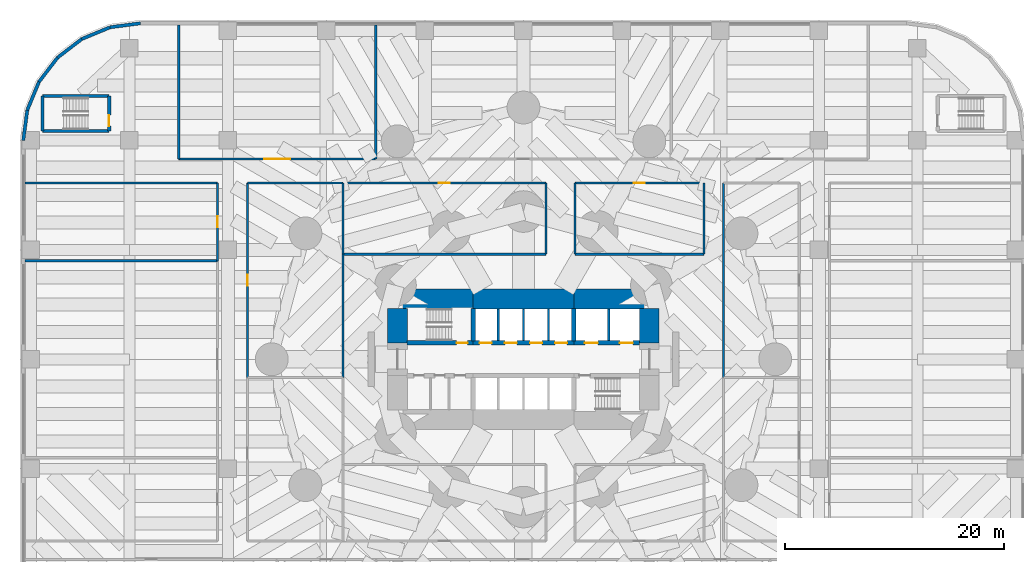
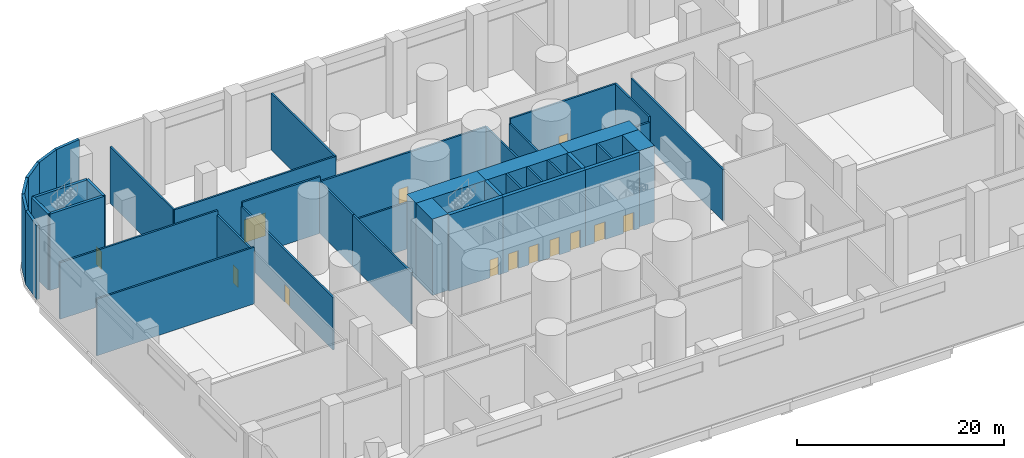
# One storey, part 9 of 13: 42 walls, 13 doors, 13 openings.
"""IFC4 building model written with IfcOpenShell, lengths in metres."""

from ifc_helpers import new_model, si_unit, direction, frame, frame_2d, origin, place, context, subcontext, project, spatial, rectangle, extrude, material, layer, layer_set, type_object, element, fill, save


model = new_model("IFC4")

# Units and contexts
model_context = context("Model", 3, precision=1e-05, world=origin(), true_north=direction((0.0, 1.0)))
body_context = subcontext(model_context, "Body", "Model", "MODEL_VIEW")
ifc_project = project(units=[si_unit("LENGTHUNIT", "METRE"), si_unit("AREAUNIT", "SQUARE_METRE"), si_unit("VOLUMEUNIT", "CUBIC_METRE"), si_unit("PLANEANGLEUNIT", "RADIAN"), si_unit("MASSUNIT", "GRAM", prefix="KILO")], contexts=[model_context])

# Site, building, storey
site_placement = place(None, origin())
site = spatial("IfcSite", under=ifc_project, at=site_placement, CompositionType="ELEMENT")
building_placement = place(site_placement, origin())
building = spatial("IfcBuilding", under=site, at=building_placement, Name="Qaws Media Tower", CompositionType="ELEMENT")
storey_placement = place(building_placement, frame((0.0, 0.0, 6.0)))
storey = spatial("IfcBuildingStorey", under=building, at=storey_placement, Name="L01", CompositionType="ELEMENT", Elevation=6.0)

# Wall, opening, door
ifc_material_1 = material(Name="Concrete C60/75", Category="concrete")
ifc_layer_1 = layer(ifc_material_1, 0.39990234375)
ifc_layer_set_1 = layer_set([ifc_layer_1], Name="Core inner wall 400")
wall_type_1 = type_object("IfcWallType", Name="Core inner wall 400", PredefinedType="SHEAR", material=ifc_layer_set_1)
wall_1_placement = place(storey_placement, frame((49.3798828125, 51.5, 0.0), z_axis=(0.0, 0.0, 1.0), x_axis=(1.0, 0.0, 0.0)))
wall_1 = element("IfcWall", 1, at=wall_1_placement, inside=storey, type_object=wall_type_1, Name="W311 SW4 core wall SPNW L01", PredefinedType="SHEAR", context=body_context, shape_type="SweptSolid", body=[
    extrude(rectangle(XDim=6.02001953125, YDim=0.39990234375, at=frame_2d((3.010009765625, 0.0))), origin(), (0.0, 0.0, 1.0), 9.0),
])
opening_1_placement = place(wall_1_placement, frame((4.52001953125, 0.0, 0.0)))
opening_1 = element("IfcOpeningElement", 2, at=opening_1_placement, cuts=wall_1, Name="Opening D1", PredefinedType="OPENING", context=body_context, shape_type="SweptSolid", body=[
    extrude(rectangle(XDim=1.0, YDim=2.10009765625, at=frame_2d((0.5, 1.050048828125))), frame((0.0, 0.2099609375, 0.0), z_axis=(0.0, -1.0, 0.0), x_axis=(1.0, 0.0, 0.0)), (0.0, 0.0, 1.0), 0.419921875),
])
ifc_material_2 = material(Name="Steel, fire rated", Category="steel")
door_type_1 = type_object("IfcDoorType", Name="Stair door 1000 FD120", OperationType="SINGLE_SWING_LEFT", PredefinedType="DOOR", material=ifc_material_2)
door_1_placement = place(opening_1_placement, origin())
door_1 = element("IfcDoor", 3, at=door_1_placement, inside=storey, type_object=door_type_1, Name="D1 stair S1 door L01 in wall W311", OperationType="SINGLE_SWING_LEFT", OverallHeight=2.10009765625, OverallWidth=1.0, PredefinedType="DOOR", context=body_context, shape_type="SweptSolid", body=[
    extrude(rectangle(XDim=1.0, YDim=2.10009765625, at=frame_2d((0.5, 1.050048828125))), frame((0.0, 0.02490234375, 0.0), z_axis=(0.0, -1.0, 0.0), x_axis=(1.0, 0.0, 0.0)), (0.0, 0.0, 1.0), 0.050048828125),
])
fill(opening_1, door_1)

# Wall, openings, doors
wall_2_placement = place(storey_placement, frame((55.39990234375, 51.5, 0.0), z_axis=(0.0, 0.0, 1.0), x_axis=(1.0, 0.0, 0.0)))
wall_2 = element("IfcWall", 4, at=wall_2_placement, inside=storey, type_object=wall_type_1, Name="W314 SW4 core wall SPN L01", PredefinedType="SHEAR", context=body_context, shape_type="SweptSolid", body=[
    extrude(rectangle(XDim=9.2001953125, YDim=0.39990234375, at=frame_2d((4.60009765625, 0.0))), origin(), (0.0, 0.0, 1.0), 9.0),
])
opening_2_placement = place(wall_2_placement, frame((0.60009765625, 0.0, 0.0)))
opening_2 = element("IfcOpeningElement", 5, at=opening_2_placement, cuts=wall_2, Name="Opening LD", PredefinedType="OPENING", context=body_context, shape_type="SweptSolid", body=[
    extrude(rectangle(XDim=1.10009765625, YDim=2.10009765625, at=frame_2d((0.550048828125, 1.050048828125))), frame((0.0, 0.2099609375, 0.0), z_axis=(0.0, -1.0, 0.0), x_axis=(1.0, 0.0, 0.0)), (0.0, 0.0, 1.0), 0.419921875),
])
opening_3_placement = place(wall_2_placement, frame((2.89990234375, 0.0, 0.0)))
opening_3 = element("IfcOpeningElement", 6, at=opening_3_placement, cuts=wall_2, Name="Opening LD", PredefinedType="OPENING", context=body_context, shape_type="SweptSolid", body=[
    extrude(rectangle(XDim=1.10009765625, YDim=2.10009765625, at=frame_2d((0.550048828125, 1.050048828125))), frame((0.0, 0.2099609375, 0.0), z_axis=(0.0, -1.0, 0.0), x_axis=(1.0, 0.0, 0.0)), (0.0, 0.0, 1.0), 0.419921875),
])
opening_4_placement = place(wall_2_placement, frame((5.199951171875, 0.0, 0.0)))
opening_4 = element("IfcOpeningElement", 7, at=opening_4_placement, cuts=wall_2, Name="Opening LD", PredefinedType="OPENING", context=body_context, shape_type="SweptSolid", body=[
    extrude(rectangle(XDim=1.10009765625, YDim=2.10009765625, at=frame_2d((0.550048828125, 1.050048828125))), frame((0.0, 0.2099609375, 0.0), z_axis=(0.0, -1.0, 0.0), x_axis=(1.0, 0.0, 0.0)), (0.0, 0.0, 1.0), 0.419921875),
])
opening_5_placement = place(wall_2_placement, frame((7.5, 0.0, 0.0)))
opening_5 = element("IfcOpeningElement", 8, at=opening_5_placement, cuts=wall_2, Name="Opening LD", PredefinedType="OPENING", context=body_context, shape_type="SweptSolid", body=[
    extrude(rectangle(XDim=1.10009765625, YDim=2.10009765625, at=frame_2d((0.550048828125, 1.050048828125))), frame((0.0, 0.2099609375, 0.0), z_axis=(0.0, -1.0, 0.0), x_axis=(1.0, 0.0, 0.0)), (0.0, 0.0, 1.0), 0.419921875),
])
ifc_material_3 = material(Name="Steel, fire rated", Category="steel")
door_type_2 = type_object("IfcDoorType", Name="Lift landing door 1100", OperationType="SLIDING_TO_LEFT", PredefinedType="DOOR", material=ifc_material_3)
door_2_placement = place(opening_2_placement, origin())
door_2 = element("IfcDoor", 9, at=door_2_placement, inside=storey, type_object=door_type_2, Name="P1 landing door L01 in wall W314", OperationType="SLIDING_TO_LEFT", OverallHeight=2.10009765625, OverallWidth=1.10009765625, PredefinedType="DOOR", context=body_context, shape_type="SweptSolid", body=[
    extrude(rectangle(XDim=1.10009765625, YDim=2.10009765625, at=frame_2d((0.550048828125, 1.050048828125))), frame((0.0, 0.02490234375, 0.0), z_axis=(0.0, -1.0, 0.0), x_axis=(1.0, 0.0, 0.0)), (0.0, 0.0, 1.0), 0.050048828125),
])
fill(opening_2, door_2)
door_3_placement = place(opening_3_placement, origin())
door_3 = element("IfcDoor", 10, at=door_3_placement, inside=storey, type_object=door_type_2, Name="P2 landing door L01 in wall W314", OperationType="SLIDING_TO_LEFT", OverallHeight=2.10009765625, OverallWidth=1.10009765625, PredefinedType="DOOR", context=body_context, shape_type="SweptSolid", body=[
    extrude(rectangle(XDim=1.10009765625, YDim=2.10009765625, at=frame_2d((0.550048828125, 1.050048828125))), frame((0.0, 0.02490234375, 0.0), z_axis=(0.0, -1.0, 0.0), x_axis=(1.0, 0.0, 0.0)), (0.0, 0.0, 1.0), 0.050048828125),
])
fill(opening_3, door_3)
door_4_placement = place(opening_4_placement, origin())
door_4 = element("IfcDoor", 11, at=door_4_placement, inside=storey, type_object=door_type_2, Name="P3 landing door L01 in wall W314", OperationType="SLIDING_TO_LEFT", OverallHeight=2.10009765625, OverallWidth=1.10009765625, PredefinedType="DOOR", context=body_context, shape_type="SweptSolid", body=[
    extrude(rectangle(XDim=1.10009765625, YDim=2.10009765625, at=frame_2d((0.550048828125, 1.050048828125))), frame((0.0, 0.02490234375, 0.0), z_axis=(0.0, -1.0, 0.0), x_axis=(1.0, 0.0, 0.0)), (0.0, 0.0, 1.0), 0.050048828125),
])
fill(opening_4, door_4)
door_5_placement = place(opening_5_placement, origin())
door_5 = element("IfcDoor", 12, at=door_5_placement, inside=storey, type_object=door_type_2, Name="P4 landing door L01 in wall W314", OperationType="SLIDING_TO_LEFT", OverallHeight=2.10009765625, OverallWidth=1.10009765625, PredefinedType="DOOR", context=body_context, shape_type="SweptSolid", body=[
    extrude(rectangle(XDim=1.10009765625, YDim=2.10009765625, at=frame_2d((0.550048828125, 1.050048828125))), frame((0.0, 0.02490234375, 0.0), z_axis=(0.0, -1.0, 0.0), x_axis=(1.0, 0.0, 0.0)), (0.0, 0.0, 1.0), 0.050048828125),
])
fill(opening_5, door_5)

wall_3_placement = place(storey_placement, frame((64.60009765625, 51.5, 0.0), z_axis=(0.0, 0.0, 1.0), x_axis=(1.0, 0.0, 0.0)))
wall_3 = element("IfcWall", 13, at=wall_3_placement, inside=storey, type_object=wall_type_1, Name="W318 SW4 core wall SPNE L01", PredefinedType="SHEAR", context=body_context, shape_type="SweptSolid", body=[
    extrude(rectangle(XDim=6.02001953125, YDim=0.39990234375, at=frame_2d((3.010009765625, 0.0))), origin(), (0.0, 0.0, 1.0), 9.0),
])
opening_6_placement = place(wall_3_placement, frame((1.0, 0.0, 0.0)))
opening_6 = element("IfcOpeningElement", 14, at=opening_6_placement, cuts=wall_3, Name="Opening LD2", PredefinedType="OPENING", context=body_context, shape_type="SweptSolid", body=[
    extrude(rectangle(XDim=1.199951171875, YDim=2.10009765625, at=frame_2d((0.60009765625, 1.050048828125))), frame((0.0, 0.2099609375, 0.0), z_axis=(0.0, -1.0, 0.0), x_axis=(1.0, 0.0, 0.0)), (0.0, 0.0, 1.0), 0.419921875),
])
opening_7_placement = place(wall_3_placement, frame((4.199951171875, 0.0, 0.0)))
opening_7 = element("IfcOpeningElement", 15, at=opening_7_placement, cuts=wall_3, Name="Opening LD2", PredefinedType="OPENING", context=body_context, shape_type="SweptSolid", body=[
    extrude(rectangle(XDim=1.199951171875, YDim=2.10009765625, at=frame_2d((0.60009765625, 1.050048828125))), frame((0.0, 0.2099609375, 0.0), z_axis=(0.0, -1.0, 0.0), x_axis=(1.0, 0.0, 0.0)), (0.0, 0.0, 1.0), 0.419921875),
])
ifc_material_4 = material(Name="Steel, fire rated", Category="steel")
door_type_3 = type_object("IfcDoorType", Name="Lift landing door 1200", OperationType="SLIDING_TO_LEFT", PredefinedType="DOOR", material=ifc_material_4)
door_6_placement = place(opening_6_placement, origin())
door_6 = element("IfcDoor", 16, at=door_6_placement, inside=storey, type_object=door_type_3, Name="FL1 landing door L01 in wall W318", OperationType="SLIDING_TO_LEFT", OverallHeight=2.10009765625, OverallWidth=1.199951171875, PredefinedType="DOOR", context=body_context, shape_type="SweptSolid", body=[
    extrude(rectangle(XDim=1.199951171875, YDim=2.10009765625, at=frame_2d((0.60009765625, 1.050048828125))), frame((0.0, 0.02490234375, 0.0), z_axis=(0.0, -1.0, 0.0), x_axis=(1.0, 0.0, 0.0)), (0.0, 0.0, 1.0), 0.050048828125),
])
fill(opening_6, door_6)
door_7_placement = place(opening_7_placement, origin())
door_7 = element("IfcDoor", 17, at=door_7_placement, inside=storey, type_object=door_type_3, Name="FL2 landing door L01 in wall W318", OperationType="SLIDING_TO_LEFT", OverallHeight=2.10009765625, OverallWidth=1.199951171875, PredefinedType="DOOR", context=body_context, shape_type="SweptSolid", body=[
    extrude(rectangle(XDim=1.199951171875, YDim=2.10009765625, at=frame_2d((0.60009765625, 1.050048828125))), frame((0.0, 0.02490234375, 0.0), z_axis=(0.0, -1.0, 0.0), x_axis=(1.0, 0.0, 0.0)), (0.0, 0.0, 1.0), 0.050048828125),
])
fill(opening_7, door_7)

# Walls
for number, where, z_axis, x_axis, name in (
    (18, (55.39990234375, 51.679931640625, 0.0), (0.0, 0.0, 1.0), (0.0, 1.0, 0.0), "W315 SW4 core wall XNW L01"),
    (19, (64.60009765625, 51.679931640625, 0.0), (0.0, 0.0, 1.0), (0.0, 1.0, 0.0), "W319 SW4 core wall XNE L01"),
):
    element("IfcWall", number, at=place(storey_placement, frame(where, z_axis=z_axis, x_axis=x_axis)), inside=storey, type_object=wall_type_1, Name=name, PredefinedType="SHEAR", context=body_context, shape_type="SweptSolid", body=[
        extrude(rectangle(XDim=2.940185546875, YDim=0.39990234375, at=frame_2d((1.47021484375, 0.0))), origin(), (0.0, 0.0, 1.0), 9.0),
    ])
ifc_material_5 = material(Name="Concrete C60/75", Category="concrete")
ifc_layer_2 = layer(ifc_material_5, 1.800048828125)
ifc_layer_set_2 = layer_set([ifc_layer_2], Name="Core wall 1800")
wall_type_2 = type_object("IfcWallType", Name="Core wall 1800", PredefinedType="SHEAR", material=ifc_layer_set_2)
wall_4_placement = place(storey_placement, frame((47.60009765625, 55.5, 0.0), z_axis=(0.0, 0.0, 1.0), x_axis=(1.0, 0.0, 0.0)))
element("IfcWall", 20, at=wall_4_placement, inside=storey, type_object=wall_type_2, Name="W399 SW11 core wall NW L01", PredefinedType="SHEAR", context=body_context, shape_type="SweptSolid", body=[
    extrude(rectangle(XDim=7.7998046875, YDim=1.800048828125, at=frame_2d((3.89990234375, 0.0))), origin(), (0.0, 0.0, 1.0), 9.0),
])
wall_5_placement = place(storey_placement, frame((55.39990234375, 55.5, 0.0), z_axis=(0.0, 0.0, 1.0), x_axis=(1.0, 0.0, 0.0)))
element("IfcWall", 21, at=wall_5_placement, inside=storey, type_object=wall_type_2, Name="W404 SW11 core wall N L01", PredefinedType="SHEAR", context=body_context, shape_type="SweptSolid", body=[
    extrude(rectangle(XDim=9.2001953125, YDim=1.800048828125, at=frame_2d((4.60009765625, 0.0))), origin(), (0.0, 0.0, 1.0), 9.0),
])
wall_6_placement = place(storey_placement, frame((64.60009765625, 55.5, 0.0), z_axis=(0.0, 0.0, 1.0), x_axis=(1.0, 0.0, 0.0)))
element("IfcWall", 22, at=wall_6_placement, inside=storey, type_object=wall_type_2, Name="W406 SW11 core wall NE L01", PredefinedType="SHEAR", context=body_context, shape_type="SweptSolid", body=[
    extrude(rectangle(XDim=7.7998046875, YDim=1.800048828125, at=frame_2d((3.89990234375, 0.0))), origin(), (0.0, 0.0, 1.0), 9.0),
])
for number, where, z_axis, x_axis, name in (
    (23, (71.5, 51.5, 0.0), (0.0, 0.0, 1.0), (0.0, 1.0, 0.0), "W409 SW11 core wall EN L01"),
    (24, (48.5, 51.5, 0.0), (0.0, 0.0, 1.0), (0.0, 1.0, 0.0), "W402 SW11 core wall WN L01"),
):
    element("IfcWall", number, at=place(storey_placement, frame(where, z_axis=z_axis, x_axis=x_axis)), inside=storey, type_object=wall_type_2, Name=name, PredefinedType="SHEAR", context=body_context, shape_type="SweptSolid", body=[
        extrude(rectangle(XDim=3.1201171875, YDim=1.800048828125, at=frame_2d((1.56005859375, 0.0))), origin(), (0.0, 0.0, 1.0), 9.0),
    ])
ifc_material_6 = material(Name="Precast concrete, exposed finish", Category="concrete")
ifc_layer_3 = layer(ifc_material_6, 0.300048828125)
ifc_layer_set_3 = layer_set([ifc_layer_3], Name="Podium facade wall 300")
wall_type_3 = type_object("IfcWallType", Name="Podium facade wall 300", PredefinedType="SOLIDWALL", material=ifc_layer_set_3)
wall_7_placement = place(storey_placement, frame((25.0, 80.699951171875, 0.0), z_axis=(0.0, 0.0, 1.0), x_axis=(-0.991448642066, -0.130497471798, 0.0)))
element("IfcWall", 25, at=wall_7_placement, inside=storey, type_object=wall_type_3, Name="W776 EW2 podium wall L01-15", PredefinedType="SOLIDWALL", context=body_context, shape_type="SweptSolid", body=[
    extrude(rectangle(XDim=2.793212890625, YDim=0.300048828125, at=frame_2d((1.396484375, 0.0))), origin(), (0.0, 0.0, 1.0), 8.699951171875),
])
wall_8_placement = place(storey_placement, frame((22.230712890625, 80.33544921875, 0.0), z_axis=(0.0, 0.0, 1.0), x_axis=(-0.923868765822, -0.382709424419, 0.0)))
element("IfcWall", 26, at=wall_8_placement, inside=storey, type_object=wall_type_3, Name="W774 EW2 podium wall L01-16", PredefinedType="SOLIDWALL", context=body_context, shape_type="SweptSolid", body=[
    extrude(rectangle(XDim=2.79345703125, YDim=0.300048828125, at=frame_2d((1.396728515625, 0.0))), origin(), (0.0, 0.0, 1.0), 8.699951171875),
])
for number, where, z_axis, x_axis, name in (
    (27, (19.64990234375, 79.266357421875, 0.0), (0.0, 0.0, 1.0), (-0.793396695539, -0.608704923183, 0.0), "W772 EW2 podium wall L01-17"),
    (28, (17.433837890625, 77.566162109375, 0.0), (0.0, 0.0, 1.0), (-0.608704923183, -0.793396695539, 0.0), "W770 EW2 podium wall L01-18"),
):
    element("IfcWall", number, at=place(storey_placement, frame(where, z_axis=z_axis, x_axis=x_axis)), inside=storey, type_object=wall_type_3, Name=name, PredefinedType="SOLIDWALL", context=body_context, shape_type="SweptSolid", body=[
        extrude(rectangle(XDim=2.793212890625, YDim=0.300048828125, at=frame_2d((1.396484375, 0.0))), origin(), (0.0, 0.0, 1.0), 8.699951171875),
    ])
wall_9_placement = place(storey_placement, frame((15.733642578125, 75.35009765625, 0.0), z_axis=(0.0, 0.0, 1.0), x_axis=(-0.382709424419, -0.923868765822, 0.0)))
element("IfcWall", 29, at=wall_9_placement, inside=storey, type_object=wall_type_3, Name="W768 EW2 podium wall L01-19", PredefinedType="SOLIDWALL", context=body_context, shape_type="SweptSolid", body=[
    extrude(rectangle(XDim=2.79345703125, YDim=0.300048828125, at=frame_2d((1.396728515625, 0.0))), origin(), (0.0, 0.0, 1.0), 8.699951171875),
])
wall_10_placement = place(storey_placement, frame((14.66455078125, 72.769287109375, 0.0), z_axis=(0.0, 0.0, 1.0), x_axis=(-0.130497471798, -0.991448642066, 0.0)))
element("IfcWall", 30, at=wall_10_placement, inside=storey, type_object=wall_type_3, Name="W766 EW2 podium wall L01-20", PredefinedType="SOLIDWALL", context=body_context, shape_type="SweptSolid", body=[
    extrude(rectangle(XDim=2.793212890625, YDim=0.300048828125, at=frame_2d((1.396484375, 0.0))), origin(), (0.0, 0.0, 1.0), 8.699951171875),
])
ifc_material_7 = material(Name="Gypsum board on galvanised metal studs, acoustic double stud, deflection head", Category="gypsum")
ifc_layer_4 = layer(ifc_material_7, 0.199951171875)
ifc_layer_set_4 = layer_set([ifc_layer_4], Name="Room partition 200")
wall_type_4 = type_object("IfcWallType", Name="Room partition 200", PredefinedType="PARTITIONING", material=ifc_layer_set_4)
wall_11_placement = place(storey_placement, frame((28.5, 68.300048828125, 0.0), z_axis=(0.0, 0.0, 1.0), x_axis=(0.0, 1.0, 0.0)))
element("IfcWall", 31, at=wall_11_placement, inside=storey, type_object=wall_type_4, Name="W846 IW3 partition L01", PredefinedType="PARTITIONING", context=body_context, shape_type="SweptSolid", body=[
    extrude(rectangle(XDim=12.244873046875, YDim=0.199951171875, at=frame_2d((6.12255859375, 0.0))), origin(), (0.0, 0.0, 1.0), 6.679931640625),
])

# Wall, opening, door
wall_12_placement = place(storey_placement, frame((32.050048828125, 59.0, 0.0), z_axis=(0.0, 0.0, 1.0), x_axis=(0.0, 1.0, 0.0)))
wall_12 = element("IfcWall", 32, at=wall_12_placement, inside=storey, type_object=wall_type_4, Name="W895 IW3 partition L01", PredefinedType="PARTITIONING", context=body_context, shape_type="SweptSolid", body=[
    extrude(rectangle(XDim=7.10009765625, YDim=0.199951171875, at=frame_2d((3.550048828125, 0.0))), origin(), (0.0, 0.0, 1.0), 6.179931640625),
])
opening_8_placement = place(wall_12_placement, frame((3.050048828125, 0.0, 0.0)))
opening_8 = element("IfcOpeningElement", 33, at=opening_8_placement, cuts=wall_12, Name="Opening D5", PredefinedType="OPENING", context=body_context, shape_type="SweptSolid", body=[
    extrude(rectangle(XDim=1.0, YDim=2.10009765625, at=frame_2d((0.5, 1.050048828125))), frame((0.0, 0.10986328125, 0.0), z_axis=(0.0, -1.0, 0.0), x_axis=(1.0, 0.0, 0.0)), (0.0, 0.0, 1.0), 0.219970703125),
])
ifc_material_8 = material(Name="Timber veneered, acoustic seal", Category="wood")
door_type_4 = type_object("IfcDoorType", Name="Room door 1000", OperationType="SINGLE_SWING_LEFT", PredefinedType="DOOR", material=ifc_material_8)
door_8_placement = place(opening_8_placement, origin())
door_8 = element("IfcDoor", 34, at=door_8_placement, inside=storey, type_object=door_type_4, Name="D5 Sound room door in wall W895", OperationType="SINGLE_SWING_LEFT", OverallHeight=2.10009765625, OverallWidth=1.0, PredefinedType="DOOR", context=body_context, shape_type="SweptSolid", body=[
    extrude(rectangle(XDim=1.0, YDim=2.10009765625, at=frame_2d((0.5, 1.050048828125))), frame((0.0, 0.02490234375, 0.0), z_axis=(0.0, -1.0, 0.0), x_axis=(1.0, 0.0, 0.0)), (0.0, 0.0, 1.0), 0.050048828125),
])
fill(opening_8, door_8)

wall_13_placement = place(storey_placement, frame((34.800048828125, 48.35009765625, 0.0), z_axis=(0.0, 0.0, 1.0), x_axis=(0.0, 1.0, 0.0)))
wall_13 = element("IfcWall", 35, at=wall_13_placement, inside=storey, type_object=wall_type_4, Name="W898 IW3 partition L01", PredefinedType="PARTITIONING", context=body_context, shape_type="SweptSolid", body=[
    extrude(rectangle(XDim=17.75, YDim=0.199951171875, at=frame_2d((8.875, 0.0))), origin(), (0.0, 0.0, 1.0), 6.179931640625),
])
opening_9_placement = place(wall_13_placement, frame((8.375, 0.0, 0.0)))
opening_9 = element("IfcOpeningElement", 36, at=opening_9_placement, cuts=wall_13, Name="Opening D5", PredefinedType="OPENING", context=body_context, shape_type="SweptSolid", body=[
    extrude(rectangle(XDim=1.0, YDim=2.10009765625, at=frame_2d((0.5, 1.050048828125))), frame((0.0, 0.10986328125, 0.0), z_axis=(0.0, -1.0, 0.0), x_axis=(1.0, 0.0, 0.0)), (0.0, 0.0, 1.0), 0.219970703125),
])
door_9_placement = place(opening_9_placement, origin())
door_9 = element("IfcDoor", 37, at=door_9_placement, inside=storey, type_object=door_type_4, Name="D5 Presenters' dressing room door in wall W898", OperationType="SINGLE_SWING_LEFT", OverallHeight=2.10009765625, OverallWidth=1.0, PredefinedType="DOOR", context=body_context, shape_type="SweptSolid", body=[
    extrude(rectangle(XDim=1.0, YDim=2.10009765625, at=frame_2d((0.5, 1.050048828125))), frame((0.0, 0.02490234375, 0.0), z_axis=(0.0, -1.0, 0.0), x_axis=(1.0, 0.0, 0.0)), (0.0, 0.0, 1.0), 0.050048828125),
])
fill(opening_9, door_9)

# Walls
wall_14_placement = place(storey_placement, frame((43.5, 48.35009765625, 0.0), z_axis=(0.0, 0.0, 1.0), x_axis=(0.0, 1.0, 0.0)))
element("IfcWall", 38, at=wall_14_placement, inside=storey, type_object=wall_type_4, Name="W858 IW3 partition L01", PredefinedType="PARTITIONING", context=body_context, shape_type="SweptSolid", body=[
    extrude(rectangle(XDim=11.25, YDim=0.199951171875, at=frame_2d((5.625, 0.0))), origin(), (0.0, 0.0, 1.0), 6.080078125),
])
wall_15_placement = place(storey_placement, frame((43.5, 59.60009765625, 0.0), z_axis=(0.0, 0.0, 1.0), x_axis=(0.0, 1.0, 0.0)))
element("IfcWall", 39, at=wall_15_placement, inside=storey, type_object=wall_type_4, Name="W821 IW3 partition L01", PredefinedType="PARTITIONING", context=body_context, shape_type="SweptSolid", body=[
    extrude(rectangle(XDim=6.5, YDim=0.199951171875, at=frame_2d((3.25, 0.0))), origin(), (0.0, 0.0, 1.0), 6.080078125),
])
wall_16_placement = place(storey_placement, frame((46.5, 68.300048828125, 0.0), z_axis=(0.0, 0.0, 1.0), x_axis=(0.0, 1.0, 0.0)))
element("IfcWall", 40, at=wall_16_placement, inside=storey, type_object=wall_type_4, Name="W861 IW3 partition L01", PredefinedType="PARTITIONING", context=body_context, shape_type="SweptSolid", body=[
    extrude(rectangle(XDim=12.244873046875, YDim=0.199951171875, at=frame_2d((6.12255859375, 0.0))), origin(), (0.0, 0.0, 1.0), 6.679931640625),
])
wall_17_placement = place(storey_placement, frame((62.050048828125, 59.60009765625, 0.0), z_axis=(0.0, 0.0, 1.0), x_axis=(0.0, 1.0, 0.0)))
element("IfcWall", 41, at=wall_17_placement, inside=storey, type_object=wall_type_4, Name="W825 IW3 partition L01", PredefinedType="PARTITIONING", context=body_context, shape_type="SweptSolid", body=[
    extrude(rectangle(XDim=6.5, YDim=0.199951171875, at=frame_2d((3.25, 0.0))), origin(), (0.0, 0.0, 1.0), 6.080078125),
])
wall_18_placement = place(storey_placement, frame((64.699951171875, 59.60009765625, 0.0), z_axis=(0.0, 0.0, 1.0), x_axis=(0.0, 1.0, 0.0)))
element("IfcWall", 42, at=wall_18_placement, inside=storey, type_object=wall_type_4, Name="W829 IW3 partition L01", PredefinedType="PARTITIONING", context=body_context, shape_type="SweptSolid", body=[
    extrude(rectangle(XDim=6.5, YDim=0.199951171875, at=frame_2d((3.25, 0.0))), origin(), (0.0, 0.0, 1.0), 5.47998046875),
])
wall_19_placement = place(storey_placement, frame((76.5, 59.60009765625, 0.0), z_axis=(0.0, 0.0, 1.0), x_axis=(0.0, 1.0, 0.0)))
element("IfcWall", 43, at=wall_19_placement, inside=storey, type_object=wall_type_4, Name="W836 IW3 partition L01", PredefinedType="PARTITIONING", context=body_context, shape_type="SweptSolid", body=[
    extrude(rectangle(XDim=6.5, YDim=0.199951171875, at=frame_2d((3.25, 0.0))), origin(), (0.0, 0.0, 1.0), 6.080078125),
])
wall_20_placement = place(storey_placement, frame((78.27001953125, 48.35009765625, 0.0), z_axis=(0.0, 0.0, 1.0), x_axis=(0.0, 1.0, 0.0)))
element("IfcWall", 44, at=wall_20_placement, inside=storey, type_object=wall_type_4, Name="W909 IW3 partition L01", PredefinedType="PARTITIONING", context=body_context, shape_type="SweptSolid", body=[
    extrude(rectangle(XDim=17.75, YDim=0.199951171875, at=frame_2d((8.875, 0.0))), origin(), (0.0, 0.0, 1.0), 6.080078125),
])
wall_21_placement = place(storey_placement, frame((14.455078125, 59.0, 0.0), z_axis=(0.0, 0.0, 1.0), x_axis=(1.0, 0.0, 0.0)))
element("IfcWall", 45, at=wall_21_placement, inside=storey, type_object=wall_type_4, Name="W890 IW3 partition L01", PredefinedType="PARTITIONING", context=body_context, shape_type="SweptSolid", body=[
    extrude(rectangle(XDim=17.594970703125, YDim=0.199951171875, at=frame_2d((8.79736328125, 0.0))), origin(), (0.0, 0.0, 1.0), 6.679931640625),
])
wall_22_placement = place(storey_placement, frame((43.5, 59.60009765625, 0.0), z_axis=(0.0, 0.0, 1.0), x_axis=(1.0, 0.0, 0.0)))
element("IfcWall", 46, at=wall_22_placement, inside=storey, type_object=wall_type_4, Name="W822 IW3 partition L01", PredefinedType="PARTITIONING", context=body_context, shape_type="SweptSolid", body=[
    extrude(rectangle(XDim=18.550048828125, YDim=0.199951171875, at=frame_2d((9.27490234375, 0.0))), origin(), (0.0, 0.0, 1.0), 5.47998046875),
])
wall_23_placement = place(storey_placement, frame((64.699951171875, 59.60009765625, 0.0), z_axis=(0.0, 0.0, 1.0), x_axis=(1.0, 0.0, 0.0)))
element("IfcWall", 47, at=wall_23_placement, inside=storey, type_object=wall_type_4, Name="W830 IW3 partition L01", PredefinedType="PARTITIONING", context=body_context, shape_type="SweptSolid", body=[
    extrude(rectangle(XDim=11.800048828125, YDim=0.199951171875, at=frame_2d((5.89990234375, 0.0))), origin(), (0.0, 0.0, 1.0), 5.47998046875),
])
wall_24_placement = place(storey_placement, frame((14.455078125, 66.10009765625, 0.0), z_axis=(0.0, 0.0, 1.0), x_axis=(1.0, 0.0, 0.0)))
element("IfcWall", 48, at=wall_24_placement, inside=storey, type_object=wall_type_4, Name="W891 IW3 partition L01", PredefinedType="PARTITIONING", context=body_context, shape_type="SweptSolid", body=[
    extrude(rectangle(XDim=17.594970703125, YDim=0.199951171875, at=frame_2d((8.79736328125, 0.0))), origin(), (0.0, 0.0, 1.0), 6.679931640625),
])
wall_25_placement = place(storey_placement, frame((34.800048828125, 66.10009765625, 0.0), z_axis=(0.0, 0.0, 1.0), x_axis=(1.0, 0.0, 0.0)))
element("IfcWall", 49, at=wall_25_placement, inside=storey, type_object=wall_type_4, Name="W900 IW3 partition L01", PredefinedType="PARTITIONING", context=body_context, shape_type="SweptSolid", body=[
    extrude(rectangle(XDim=8.699951171875, YDim=0.199951171875, at=frame_2d((4.35009765625, 0.0))), origin(), (0.0, 0.0, 1.0), 6.679931640625),
])

# Wall, opening, door
wall_26_placement = place(storey_placement, frame((43.5, 66.10009765625, 0.0), z_axis=(0.0, 0.0, 1.0), x_axis=(1.0, 0.0, 0.0)))
wall_26 = element("IfcWall", 50, at=wall_26_placement, inside=storey, type_object=wall_type_4, Name="W823 IW3 partition L01", PredefinedType="PARTITIONING", context=body_context, shape_type="SweptSolid", body=[
    extrude(rectangle(XDim=18.550048828125, YDim=0.199951171875, at=frame_2d((9.27490234375, 0.0))), origin(), (0.0, 0.0, 1.0), 6.080078125),
])
opening_10_placement = place(wall_26_placement, frame((8.77490234375, 0.0, 0.0)))
opening_10 = element("IfcOpeningElement", 51, at=opening_10_placement, cuts=wall_26, Name="Opening D5", PredefinedType="OPENING", context=body_context, shape_type="SweptSolid", body=[
    extrude(rectangle(XDim=1.0, YDim=2.10009765625, at=frame_2d((0.5, 1.050048828125))), frame((0.0, 0.10986328125, 0.0), z_axis=(0.0, -1.0, 0.0), x_axis=(1.0, 0.0, 0.0)), (0.0, 0.0, 1.0), 0.219970703125),
])
door_10_placement = place(opening_10_placement, origin())
door_10 = element("IfcDoor", 52, at=door_10_placement, inside=storey, type_object=door_type_4, Name="D5 Script office door in wall W823", OperationType="SINGLE_SWING_LEFT", OverallHeight=2.10009765625, OverallWidth=1.0, PredefinedType="DOOR", context=body_context, shape_type="SweptSolid", body=[
    extrude(rectangle(XDim=1.0, YDim=2.10009765625, at=frame_2d((0.5, 1.050048828125))), frame((0.0, 0.02490234375, 0.0), z_axis=(0.0, -1.0, 0.0), x_axis=(1.0, 0.0, 0.0)), (0.0, 0.0, 1.0), 0.050048828125),
])
fill(opening_10, door_10)

wall_27_placement = place(storey_placement, frame((64.699951171875, 66.10009765625, 0.0), z_axis=(0.0, 0.0, 1.0), x_axis=(1.0, 0.0, 0.0)))
wall_27 = element("IfcWall", 53, at=wall_27_placement, inside=storey, type_object=wall_type_4, Name="W831 IW3 partition L01", PredefinedType="PARTITIONING", context=body_context, shape_type="SweptSolid", body=[
    extrude(rectangle(XDim=11.800048828125, YDim=0.199951171875, at=frame_2d((5.89990234375, 0.0))), origin(), (0.0, 0.0, 1.0), 6.080078125),
])
opening_11_placement = place(wall_27_placement, frame((5.39990234375, 0.0, 0.0)))
opening_11 = element("IfcOpeningElement", 54, at=opening_11_placement, cuts=wall_27, Name="Opening D5", PredefinedType="OPENING", context=body_context, shape_type="SweptSolid", body=[
    extrude(rectangle(XDim=1.0, YDim=2.10009765625, at=frame_2d((0.5, 1.050048828125))), frame((0.0, 0.10986328125, 0.0), z_axis=(0.0, -1.0, 0.0), x_axis=(1.0, 0.0, 0.0)), (0.0, 0.0, 1.0), 0.219970703125),
])
door_11_placement = place(opening_11_placement, origin())
door_11 = element("IfcDoor", 55, at=door_11_placement, inside=storey, type_object=door_type_4, Name="D5 Studio crew room door in wall W831", OperationType="SINGLE_SWING_LEFT", OverallHeight=2.10009765625, OverallWidth=1.0, PredefinedType="DOOR", context=body_context, shape_type="SweptSolid", body=[
    extrude(rectangle(XDim=1.0, YDim=2.10009765625, at=frame_2d((0.5, 1.050048828125))), frame((0.0, 0.02490234375, 0.0), z_axis=(0.0, -1.0, 0.0), x_axis=(1.0, 0.0, 0.0)), (0.0, 0.0, 1.0), 0.050048828125),
])
fill(opening_11, door_11)

wall_28_placement = place(storey_placement, frame((28.5, 68.300048828125, 0.0), z_axis=(0.0, 0.0, 1.0), x_axis=(1.0, 0.0, 0.0)))
wall_28 = element("IfcWall", 56, at=wall_28_placement, inside=storey, type_object=wall_type_4, Name="W892 IW3 partition L01", PredefinedType="PARTITIONING", context=body_context, shape_type="SweptSolid", body=[
    extrude(rectangle(XDim=18.0, YDim=0.199951171875, at=frame_2d((9.0, 0.0))), origin(), (0.0, 0.0, 1.0), 6.679931640625),
])
opening_12_placement = place(wall_28_placement, frame((7.800048828125, 0.0, 0.0)))
opening_12 = element("IfcOpeningElement", 57, at=opening_12_placement, cuts=wall_28, Name="Opening D20", PredefinedType="OPENING", context=body_context, shape_type="SweptSolid", body=[
    extrude(rectangle(XDim=2.39990234375, YDim=2.699951171875, at=frame_2d((1.199951171875, 1.35009765625))), frame((0.0, 0.10986328125, 0.0), z_axis=(0.0, -1.0, 0.0), x_axis=(1.0, 0.0, 0.0)), (0.0, 0.0, 1.0), 0.219970703125),
])
ifc_material_9 = material(Name="Steel, fire rated", Category="steel")
door_type_5 = type_object("IfcDoorType", Name="Workshop door pair 2400x2700", OperationType="DOUBLE_DOOR_DOUBLE_SWING", PredefinedType="DOOR", material=ifc_material_9)
door_12_placement = place(opening_12_placement, origin())
door_12 = element("IfcDoor", 58, at=door_12_placement, inside=storey, type_object=door_type_5, Name="D20 Props workshop door in wall W892", OperationType="DOUBLE_DOOR_DOUBLE_SWING", OverallHeight=2.699951171875, OverallWidth=2.39990234375, PredefinedType="DOOR", context=body_context, shape_type="SweptSolid", body=[
    extrude(rectangle(XDim=2.39990234375, YDim=2.699951171875, at=frame_2d((1.199951171875, 1.35009765625))), frame((0.0, 0.02490234375, 0.0), z_axis=(0.0, -1.0, 0.0), x_axis=(1.0, 0.0, 0.0)), (0.0, 0.0, 1.0), 0.050048828125),
])
fill(opening_12, door_12)

# Walls
ifc_material_10 = material(Name="Fire-rated gypsum board shaft wall on galvanised metal studs, deflection head", Category="gypsum")
ifc_layer_5 = layer(ifc_material_10, 0.199951171875)
ifc_layer_set_5 = layer_set([ifc_layer_5], Name="Shaft wall 200")
wall_type_5 = type_object("IfcWallType", Name="Shaft wall 200", PredefinedType="PARTITIONING", material=ifc_layer_set_5)
for number, where, z_axis, x_axis, name in (
    (59, (57.699951171875, 51.699951171875, 0.0), (0.0, 0.0, 1.0), (0.0, 1.0, 0.0), "W1842 IW1 shaft wall N1 L01"),
    (60, (60.0, 51.699951171875, 0.0), (0.0, 0.0, 1.0), (0.0, 1.0, 0.0), "W1843 IW1 shaft wall N2 L01"),
    (61, (62.300048828125, 51.699951171875, 0.0), (0.0, 0.0, 1.0), (0.0, 1.0, 0.0), "W1844 IW1 shaft wall N3 L01"),
    (62, (67.800048828125, 51.699951171875, 0.0), (0.0, 0.0, 1.0), (0.0, 1.0, 0.0), "W1845 IW1 shaft wall FL L01"),
):
    element("IfcWall", number, at=place(storey_placement, frame(where, z_axis=z_axis, x_axis=x_axis)), inside=storey, type_object=wall_type_5, Name=name, PredefinedType="PARTITIONING", context=body_context, shape_type="SweptSolid", body=[
        extrude(rectangle(XDim=2.900146484375, YDim=0.199951171875, at=frame_2d((1.4501953125, 0.0))), origin(), (0.0, 0.0, 1.0), 9.0),
    ])
ifc_material_11 = material(Name="Concrete C60/75", Category="concrete")
ifc_layer_6 = layer(ifc_material_11, 0.300048828125)
ifc_layer_set_6 = layer_set([ifc_layer_6], Name="Stair enclosure wall 300")
wall_type_6 = type_object("IfcWallType", Name="Stair enclosure wall 300", PredefinedType="SHEAR", material=ifc_layer_set_6)
for number, where, z_axis, x_axis, name in (
    (63, (16.050048828125, 70.85009765625, 0.0), (0.0, 0.0, 1.0), (1.0, 0.0, 0.0), "W1883 SW7 stair S3 enclosure S L01"),
    (64, (16.050048828125, 74.050048828125, 0.0), (0.0, 0.0, 1.0), (1.0, 0.0, 0.0), "W1884 SW7 stair S3 enclosure N L01"),
):
    element("IfcWall", number, at=place(storey_placement, frame(where, z_axis=z_axis, x_axis=x_axis)), inside=storey, type_object=wall_type_6, Name=name, PredefinedType="SHEAR", context=body_context, shape_type="SweptSolid", body=[
        extrude(rectangle(XDim=6.099853515625, YDim=0.300048828125, at=frame_2d((3.0498046875, 0.0))), origin(), (0.0, 0.0, 1.0), 9.0),
    ])
wall_29_placement = place(storey_placement, frame((16.050048828125, 70.85009765625, 0.0), z_axis=(0.0, 0.0, 1.0), x_axis=(0.0, 1.0, 0.0)))
element("IfcWall", 65, at=wall_29_placement, inside=storey, type_object=wall_type_6, Name="W1882 SW7 stair S3 enclosure W L01", PredefinedType="SHEAR", context=body_context, shape_type="SweptSolid", body=[
    extrude(rectangle(XDim=3.199951171875, YDim=0.300048828125, at=frame_2d((1.60009765625, 0.0))), origin(), (0.0, 0.0, 1.0), 9.0),
])

# Wall, opening, door
wall_30_placement = place(storey_placement, frame((22.14990234375, 70.85009765625, 0.0), z_axis=(0.0, 0.0, 1.0), x_axis=(0.0, 1.0, 0.0)))
wall_30 = element("IfcWall", 66, at=wall_30_placement, inside=storey, type_object=wall_type_6, Name="W1885 SW7 stair S3 enclosure E L01", PredefinedType="SHEAR", context=body_context, shape_type="SweptSolid", body=[
    extrude(rectangle(XDim=3.199951171875, YDim=0.300048828125, at=frame_2d((1.60009765625, 0.0))), origin(), (0.0, 0.0, 1.0), 9.0),
])
opening_13_placement = place(wall_30_placement, frame((0.449951171875, 0.0, 0.0)))
opening_13 = element("IfcOpeningElement", 67, at=opening_13_placement, cuts=wall_30, Name="Opening D1", PredefinedType="OPENING", context=body_context, shape_type="SweptSolid", body=[
    extrude(rectangle(XDim=1.0, YDim=2.10009765625, at=frame_2d((0.5, 1.050048828125))), frame((0.0, 0.159912109375, 0.0), z_axis=(0.0, -1.0, 0.0), x_axis=(1.0, 0.0, 0.0)), (0.0, 0.0, 1.0), 0.320068359375),
])
door_13_placement = place(opening_13_placement, origin())
door_13 = element("IfcDoor", 68, at=door_13_placement, inside=storey, type_object=door_type_1, Name="D1 stair S3 door L01 in wall W1885", OperationType="SINGLE_SWING_LEFT", OverallHeight=2.10009765625, OverallWidth=1.0, PredefinedType="DOOR", context=body_context, shape_type="SweptSolid", body=[
    extrude(rectangle(XDim=1.0, YDim=2.10009765625, at=frame_2d((0.5, 1.050048828125))), frame((0.0, 0.02490234375, 0.0), z_axis=(0.0, -1.0, 0.0), x_axis=(1.0, 0.0, 0.0)), (0.0, 0.0, 1.0), 0.050048828125),
])
fill(opening_13, door_13)

save(model, "model.ifc")
